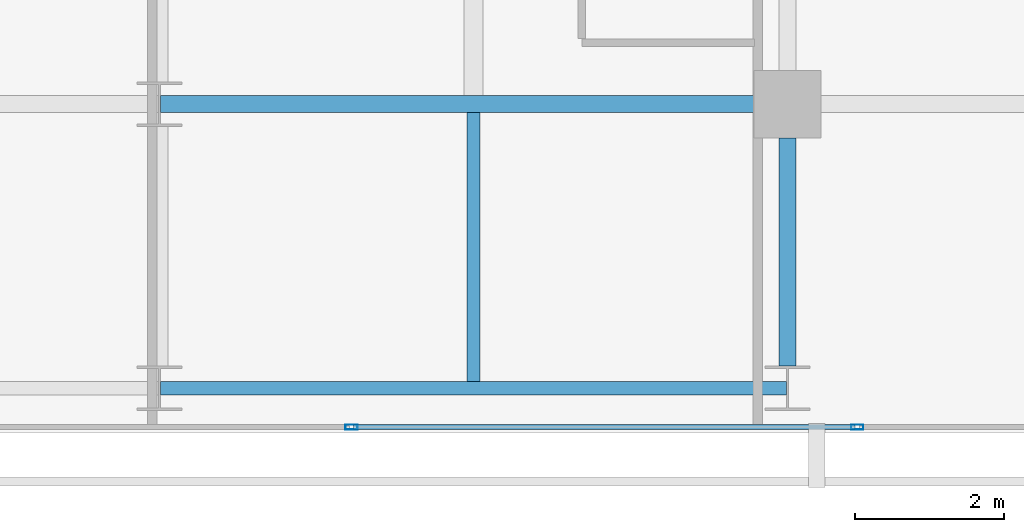
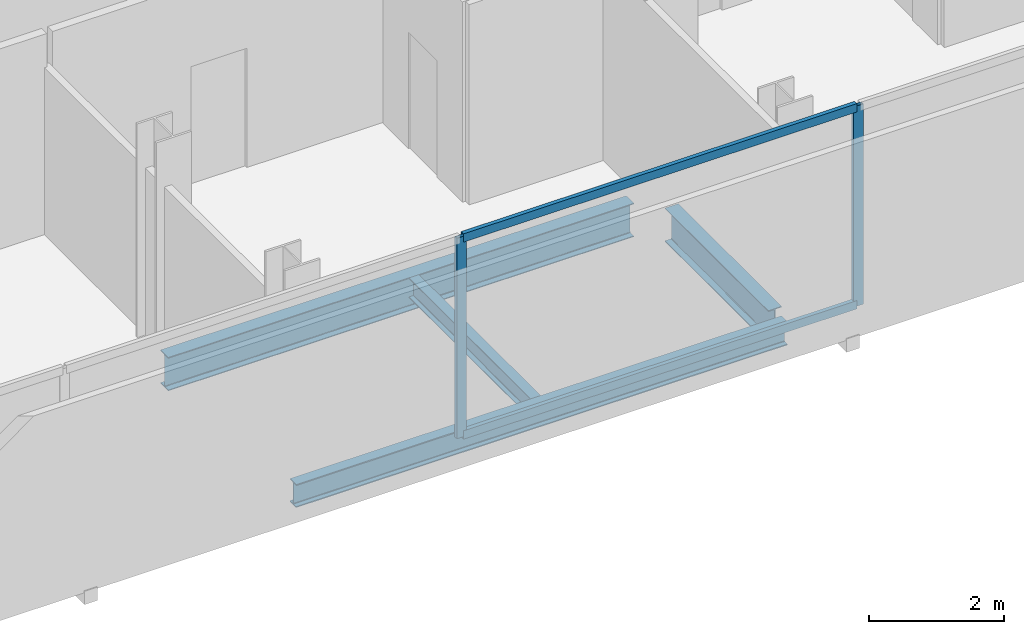
# One storey, part 12 of 34: 4 beams, 4 members, 1 element without a shape of its own.
"""IFC4 building model written with IfcOpenShell, lengths in metres."""

import ifcopenshell
import ifcopenshell.guid

model = None  # the IFC model being written
_history = None  # IfcOwnerHistory: only IFC2X3 demands one
_inside = {}  # id of a spatial element -> (the spatial element, [elements in it])
_under = {}  # id of a project, library or spatial element -> (it, [spatial elements below it])
_declared = {}  # id of a project -> (the project, [libraries it declares])
_typed = {}  # id of a type object -> (the type object, [elements of that type])
_made_of = {}  # id of a material, layer set ... -> (it, [elements and type objects made of it])


def new_model(schema):
    """Start an empty IFC model of exactly this schema.

    Asked for "IFC4X3", IfcOpenShell would pick the latest addendum, in which some entities
    have other attributes; the version numbers below select the first issue.
    IFC2X3 requires an IfcOwnerHistory on every rooted entity: one is made here for all.
    """
    global model, _history
    if schema == "IFC4X3":
        model = ifcopenshell.file(schema_version=(4, 3, 0, 0))
    else:
        model = ifcopenshell.file(schema=schema)
    _inside.clear()
    _under.clear()
    _declared.clear()
    _typed.clear()
    _made_of.clear()
    _history = None
    if model.schema == "IFC2X3":
        org = make("IfcOrganization", Name="unknown")
        user = make(
            "IfcPersonAndOrganization",
            ThePerson=make("IfcPerson", FamilyName="unknown"),
            TheOrganization=org,
        )
        app = make(
            "IfcApplication",
            ApplicationDeveloper=org,
            Version="unknown",
            ApplicationFullName="unknown",
            ApplicationIdentifier="unknown",
        )
        _history = make(
            "IfcOwnerHistory",
            OwningUser=user,
            OwningApplication=app,
            ChangeAction="ADDED",
            CreationDate=0,
        )
    return model


def make(cls, **values):
    """One entity of the class cls with the attributes given. An attribute that is None is left unset."""
    return model.create_entity(
        cls, **{name: value for name, value in values.items() if value is not None}
    )


def rooted(cls, **values):
    """An entity with a GlobalId (a new one), such as an element, a storey or a relation."""
    return make(cls, GlobalId=ifcopenshell.guid.new(), OwnerHistory=_history, **values)


def si_unit(unit_type, name, prefix=None):
    """IfcSIUnit, for example si_unit("LENGTHUNIT", "METRE", prefix="MILLI")."""
    return make("IfcSIUnit", UnitType=unit_type, Prefix=prefix, Name=name)


def assignment(units):
    """IfcUnitAssignment: the units of a project."""
    return None if units is None else make("IfcUnitAssignment", Units=units)


def point(xyz):
    """IfcCartesianPoint."""
    return None if xyz is None else make("IfcCartesianPoint", Coordinates=xyz)


def direction(xyz):
    """IfcDirection."""
    return None if xyz is None else make("IfcDirection", DirectionRatios=xyz)


def frame(location, z_axis=None, x_axis=None):
    """IfcAxis2Placement3D, a coordinate frame: its origin and axes. An axis left out is left unset."""
    return make(
        "IfcAxis2Placement3D",
        Location=point(location),
        Axis=direction(z_axis),
        RefDirection=direction(x_axis),
    )


def frame_2d(location, x_axis=None):
    """IfcAxis2Placement2D, a coordinate frame in the plane: its origin and x axis."""
    return make(
        "IfcAxis2Placement2D", Location=point(location), RefDirection=direction(x_axis)
    )


def origin():
    """The frame at (0, 0, 0) with its axes left unset."""
    return frame((0.0, 0.0, 0.0))


def origin_2d():
    """The frame at (0, 0) in the plane with its x axis left unset."""
    return frame_2d((0.0, 0.0))


def place(relative_to, where):
    """IfcLocalPlacement: puts the frame where relative to a parent placement (None: the world)."""
    return make(
        "IfcLocalPlacement", PlacementRelTo=relative_to, RelativePlacement=where
    )


def context(
    kind, dimensions, precision=None, world=None, true_north=None, identifier=None
):
    """IfcGeometricRepresentationContext, for example the 3D "Model" context."""
    return make(
        "IfcGeometricRepresentationContext",
        ContextIdentifier=identifier,
        ContextType=kind,
        CoordinateSpaceDimension=dimensions,
        Precision=precision,
        WorldCoordinateSystem=world,
        TrueNorth=true_north,
    )


def subcontext(parent, identifier, kind, view, scale=None):
    """IfcGeometricRepresentationSubContext, for example "Body" below "Model"."""
    return make(
        "IfcGeometricRepresentationSubContext",
        ContextIdentifier=identifier,
        ContextType=kind,
        ParentContext=parent,
        TargetScale=scale,
        TargetView=view,
    )


def project(units=None, contexts=None):
    """IfcProject with its units and contexts."""
    return rooted(
        "IfcProject",
        Name="project",
        RepresentationContexts=contexts,
        UnitsInContext=assignment(units),
    )


def spatial(cls, under=None, at=None, **own):
    """A site, building, storey or space (cls), placed at a placement, below another one or the project."""
    s = rooted(cls, ObjectPlacement=at, **own)
    if under is not None:
        _under.setdefault(under.id(), (under, []))[1].append(s)
    return s


def profile(cls, at=None, kind="AREA", **sizes):
    """A parametric profile (cls). Its sizes go by their IFC names, for example OverallWidth=200.0."""
    return make(cls, ProfileType=kind, Position=at, **sizes)


def hollow_rectangle(**sizes):
    """IfcRectangleHollowProfileDef."""
    return profile("IfcRectangleHollowProfileDef", **sizes)


def i_section(**sizes):
    """IfcIShapeProfileDef."""
    return profile("IfcIShapeProfileDef", **sizes)


def extrude(swept, where, along, depth):
    """IfcExtrudedAreaSolid: the profile swept, set in the frame where, extruded along a direction by depth."""
    return make(
        "IfcExtrudedAreaSolid",
        SweptArea=swept,
        Position=where,
        ExtrudedDirection=direction(along),
        Depth=depth,
    )


def shape(context_of_items, identifier, shape_type, items):
    """IfcShapeRepresentation: the items that make up one representation, for example the "Body"."""
    return make(
        "IfcShapeRepresentation",
        ContextOfItems=context_of_items,
        RepresentationIdentifier=identifier,
        RepresentationType=shape_type,
        Items=items,
    )


def material(Name=None, Category=None):
    """IfcMaterial."""
    return make("IfcMaterial", Name=Name, Category=Category)


def layer(
    of_material, thickness, ventilated=None, Name=None, Category=None, Priority=None
):
    """IfcMaterialLayer: one layer of a wall or slab, of a material (None: an air gap)."""
    return make(
        "IfcMaterialLayer",
        Material=of_material,
        LayerThickness=thickness,
        IsVentilated=ventilated,
        Name=Name,
        Category=Category,
        Priority=Priority,
    )


def layer_set(layers, Name=None):
    """IfcMaterialLayerSet."""
    return make("IfcMaterialLayerSet", MaterialLayers=layers, LayerSetName=Name)


def material_profile(
    of_material, cross_section, Name=None, Category=None, Priority=None
):
    """IfcMaterialProfile: a cross section and its material."""
    return make(
        "IfcMaterialProfile",
        Name=Name,
        Material=of_material,
        Profile=cross_section,
        Priority=Priority,
        Category=Category,
    )


def profile_set(profiles, Name=None, composite=None):
    """IfcMaterialProfileSet."""
    return make(
        "IfcMaterialProfileSet",
        Name=Name,
        MaterialProfiles=profiles,
        CompositeProfile=composite,
    )


def made_of(thing, what):
    """Note that an element or type object is made of a material, layer set ...; save() writes the relation."""
    if what is not None:
        _made_of.setdefault(what.id(), (what, []))[1].append(thing)
    return thing


def type_object(cls, material=None, **own):
    """A type object (cls), such as IfcWallType, which elements share."""
    return made_of(rooted(cls, **own), material)


def element(
    cls,
    number,
    at=None,
    inside=None,
    cuts=None,
    type_object=None,
    material=None,
    context=None,
    identifier="Body",
    shape_type=None,
    held_by="IfcProductDefinitionShape",
    body=None,
    shapes=None,
    **own,
):
    """One element of the class cls, such as IfcWall. Its Tag is "e" and its number.

    at: its placement. inside: the storey or other place that contains it. cuts: it is an
    opening in that element (IfcRelVoidsElement). A single representation is given by context,
    identifier, shape_type and body (its items); several are given by shapes. held_by: the class
    of the entity that holds the representations. save() writes the other relations.
    """
    e = rooted(cls, Tag="e%d" % number, ObjectPlacement=at, **own)
    if body is not None:
        shapes = [shape(context, identifier, shape_type, body)]
    if shapes is not None:
        e.Representation = make(held_by, Representations=shapes)
    if inside is not None:
        _inside.setdefault(inside.id(), (inside, []))[1].append(e)
    if cuts is not None:
        rooted(
            "IfcRelVoidsElement", RelatingBuildingElement=cuts, RelatedOpeningElement=e
        )
    if type_object is not None:
        _typed.setdefault(type_object.id(), (type_object, []))[1].append(e)
    return made_of(e, material)


def aggregate(whole, parts):
    """IfcRelAggregates: a whole, such as a stair, and the parts it consists of."""
    return rooted("IfcRelAggregates", RelatingObject=whole, RelatedObjects=parts)


def save(model, path):
    """Write the relations noted so far, then the file.

    IfcRelAggregates (storeys below a building ...), IfcRelContainedInSpatialStructure (elements
    in a storey), IfcRelDefinesByType, IfcRelAssociatesMaterial and IfcRelDeclares: one each for
    every whole, place, type object, material and project.
    """
    for whole, parts in _under.values():
        aggregate(whole, parts)
    for where, things in _inside.values():
        rooted(
            "IfcRelContainedInSpatialStructure",
            RelatedElements=things,
            RelatingStructure=where,
        )
    for kind, things in _typed.values():
        rooted("IfcRelDefinesByType", RelatedObjects=things, RelatingType=kind)
    for what, things in _made_of.values():
        rooted("IfcRelAssociatesMaterial", RelatedObjects=things, RelatingMaterial=what)
    for by, libraries in _declared.values():
        rooted("IfcRelDeclares", RelatingContext=by, RelatedDefinitions=libraries)
    model.write(path)


model = new_model("IFC4")

# Units and contexts
model_context = context("Model", 3, precision=1e-05, world=origin(), true_north=direction((0.0, 1.0)))
body_context = subcontext(model_context, "Body", "Model", "MODEL_VIEW")
ifc_project = project(units=[si_unit("LENGTHUNIT", "METRE"), si_unit("AREAUNIT", "SQUARE_METRE"), si_unit("VOLUMEUNIT", "CUBIC_METRE"), si_unit("PLANEANGLEUNIT", "RADIAN"), si_unit("MASSUNIT", "GRAM", prefix="KILO")], contexts=[model_context])

# Site, building, storey
site_placement = place(None, origin())
site = spatial("IfcSite", under=ifc_project, at=site_placement, CompositionType="ELEMENT")
building_placement = place(site_placement, origin())
building = spatial("IfcBuilding", under=site, at=building_placement, Name="Maruvema Waterfront Hotel and Observation Tower", CompositionType="ELEMENT")
storey_placement = place(building_placement, frame((0.0, 0.0, 177.449951171875)))
storey = spatial("IfcBuildingStorey", under=building, at=storey_placement, Name="L43", CompositionType="ELEMENT", Elevation=177.449951171875)

# Curtain wall, members
ifc_material_1 = material(Name="Anodised bronze aluminium and solar-control low-E IGU", Category="aluminium")
ifc_layer = layer(ifc_material_1, 0.159912109375, Name="Zone 2 Amber Inner Thermal Curtain Wall System CW-03")
ifc_layer_set = layer_set([ifc_layer], Name="Anodised bronze aluminium and solar-control low-E IGU")
curtain_wall_type = type_object("IfcCurtainWallType", Name="Zone 2 Amber Inner Thermal Curtain Wall System CW-03", PredefinedType="USERDEFINED", material=ifc_layer_set)
curtain_wall_placement = place(storey_placement, origin())
curtain_wall = element("IfcCurtainWall", 1, at=curtain_wall_placement, inside=storey, type_object=curtain_wall_type, Name="L43 Curtain Wall CW-L43-S", ObjectType="UNITISED CURTAIN WALL", PredefinedType="USERDEFINED")
ifc_material_2 = material(Name="Anodised architectural bronze aluminium", Category="aluminium")
ifc_material_profile_1 = material_profile(ifc_material_2, hollow_rectangle(XDim=0.070068359375, YDim=0.14990234375, WallThickness=0.00390625, at=origin_2d()), Name="ALU-T70x150")
ifc_profile_set_1 = profile_set([ifc_material_profile_1], Name="Anodised architectural bronze aluminium")
member_type_1 = type_object("IfcMemberType", Name="Curtain Wall Horizontal Transom ALU-T70x150", PredefinedType="USERDEFINED", material=ifc_profile_set_1)
member_1_placement = place(storey_placement, frame((44.5966796875, 4.679931640625, 0.030029296875), z_axis=(1.0, 0.0, 0.0), x_axis=(0.0, 1.0, 0.0)))
member_1 = element("IfcMember", 2, at=member_1_placement, type_object=member_type_1, Name="CW-03 transom 5.1", ObjectType="TRANSOM", PredefinedType="USERDEFINED", context=body_context, shape_type="SweptSolid", body=[
    extrude(hollow_rectangle(XDim=0.070068359375, YDim=0.14990234375, WallThickness=0.00390625, at=origin_2d()), origin(), (0.0, 0.0, 1.0), 6.70654296875),
])
member_2_placement = place(storey_placement, frame((44.5966796875, 4.679931640625, 3.580078125), z_axis=(1.0, 0.0, 0.0), x_axis=(0.0, 1.0, 0.0)))
member_2 = element("IfcMember", 3, at=member_2_placement, type_object=member_type_1, Name="CW-03 transom 5.2", ObjectType="TRANSOM", PredefinedType="USERDEFINED", context=body_context, shape_type="SweptSolid", body=[
    extrude(hollow_rectangle(XDim=0.070068359375, YDim=0.14990234375, WallThickness=0.00390625, at=origin_2d()), origin(), (0.0, 0.0, 1.0), 6.70654296875),
])
ifc_material_3 = material(Name="Anodised architectural bronze aluminium", Category="aluminium")
ifc_material_profile_2 = material_profile(ifc_material_3, hollow_rectangle(XDim=0.06494140625, YDim=0.1650390625, WallThickness=0.00390625, at=origin_2d()), Name="ALU-M65x165")
ifc_profile_set_2 = profile_set([ifc_material_profile_2], Name="Anodised architectural bronze aluminium")
member_type_2 = type_object("IfcMemberType", Name="Curtain Wall Primary Mullion ALU-M65x165", PredefinedType="MULLION", material=ifc_profile_set_2)
member_3_placement = place(storey_placement, frame((44.566650390625, 4.679931640625, 0.0), z_axis=(0.0, 0.0, 1.0), x_axis=(0.0, 1.0, 0.0)))
member_3 = element("IfcMember", 4, at=member_3_placement, type_object=member_type_2, Name="CW-03 mullion 5", PredefinedType="MULLION", context=body_context, shape_type="SweptSolid", body=[
    extrude(hollow_rectangle(XDim=0.06494140625, YDim=0.1650390625, WallThickness=0.00390625, at=origin_2d()), origin(), (0.0, 0.0, 1.0), 3.610107421875),
])
member_4_placement = place(storey_placement, frame((51.333251953125, 4.679931640625, 0.0), z_axis=(0.0, 0.0, 1.0), x_axis=(0.0, 1.0, 0.0)))
member_4 = element("IfcMember", 5, at=member_4_placement, type_object=member_type_2, Name="CW-03 mullion 6", PredefinedType="MULLION", context=body_context, shape_type="SweptSolid", body=[
    extrude(hollow_rectangle(XDim=0.06494140625, YDim=0.1650390625, WallThickness=0.00390625, at=origin_2d()), origin(), (0.0, 0.0, 1.0), 3.610107421875),
])
aggregate(curtain_wall, [member_3, member_4, member_1, member_2])

# Beams
ifc_material_4 = material(Name="Steel ASTM A572 Grade 50", Category="steel")
ifc_material_profile_3 = material_profile(ifc_material_4, i_section(OverallWidth=0.180908203125, OverallDepth=0.4169921875, WebThickness=0.010986328125, FlangeThickness=0.018310546875, FilletRadius=0.014892578125, at=origin_2d()), Name="W410x85.0")
ifc_profile_set_3 = profile_set([ifc_material_profile_3], Name="Steel ASTM A572 Grade 50")
beam_type_1 = type_object("IfcBeamType", Name="Perimeter Spandrel Beam W410x85.0", PredefinedType="SPANDREL", material=ifc_profile_set_3)
beam_1_placement = place(storey_placement, frame((42.012451171875, 5.199951171875, -0.448486328125), z_axis=(1.0, 0.0, 0.0), x_axis=(0.0, 1.0, 0.0)))
element("IfcBeam", 6, at=beam_1_placement, inside=storey, type_object=beam_type_1, Name="L43 Floor Girder EW-03", PredefinedType="SPANDREL", context=body_context, shape_type="SweptSolid", body=[
    extrude(i_section(OverallWidth=0.180908203125, OverallDepth=0.4169921875, WebThickness=0.010986328125, FlangeThickness=0.018310546875, FilletRadius=0.014892578125, at=origin_2d()), origin(), (0.0, 0.0, 1.0), 8.375),
])
ifc_material_5 = material(Name="Steel ASTM A572 Grade 50", Category="steel")
ifc_material_profile_4 = material_profile(ifc_material_5, i_section(OverallWidth=0.22802734375, OverallDepth=0.60302734375, WebThickness=0.010498046875, FlangeThickness=0.014892578125, FilletRadius=0.01806640625, at=origin_2d()), Name="W610x101.0")
ifc_profile_set_4 = profile_set([ifc_material_profile_4], Name="Steel ASTM A572 Grade 50")
beam_type_2 = type_object("IfcBeamType", Name="Primary Floor Girder W610x101.0", PredefinedType="BEAM", material=ifc_profile_set_4)
beam_2_placement = place(storey_placement, frame((42.012451171875, 9.0, -0.54150390625), z_axis=(1.0, 0.0, 0.0), x_axis=(0.0, 1.0, 0.0)))
element("IfcBeam", 7, at=beam_2_placement, inside=storey, type_object=beam_type_2, Name="L43 Floor Girder EW-08", PredefinedType="BEAM", context=body_context, shape_type="SweptSolid", body=[
    extrude(i_section(OverallWidth=0.22802734375, OverallDepth=0.60302734375, WebThickness=0.010498046875, FlangeThickness=0.014892578125, FilletRadius=0.01806640625, at=origin_2d()), origin(), (0.0, 0.0, 1.0), 7.9375),
])
beam_3_placement = place(storey_placement, frame((50.39990234375, 5.5, -0.54150390625), z_axis=(0.0, 1.0, 0.0), x_axis=(-1.0, 0.0, 0.0)))
element("IfcBeam", 8, at=beam_3_placement, inside=storey, type_object=beam_type_2, Name="L43 Floor Girder NS-20", PredefinedType="BEAM", context=body_context, shape_type="SweptSolid", body=[
    extrude(i_section(OverallWidth=0.22802734375, OverallDepth=0.60302734375, WebThickness=0.010498046875, FlangeThickness=0.014892578125, FilletRadius=0.01806640625, at=origin_2d()), origin(), (0.0, 0.0, 1.0), 3.050048828125),
])
ifc_material_6 = material(Name="Steel ASTM A572 Grade 50", Category="steel")
ifc_material_profile_5 = material_profile(ifc_material_6, i_section(OverallWidth=0.1708984375, OverallDepth=0.35498046875, WebThickness=0.007080078125, FlangeThickness=0.01171875, FilletRadius=0.014892578125, at=origin_2d()), Name="W360x51.0")
ifc_profile_set_5 = profile_set([ifc_material_profile_5], Name="Steel ASTM A572 Grade 50")
beam_type_3 = type_object("IfcBeamType", Name="Secondary Floor Joist W360x51.0", PredefinedType="JOIST", material=ifc_profile_set_5)
beam_4_placement = place(storey_placement, frame((46.199951171875, 5.29052734375, -0.41748046875), z_axis=(0.0, 1.0, 0.0), x_axis=(-1.0, 0.0, 0.0)))
element("IfcBeam", 9, at=beam_4_placement, inside=storey, type_object=beam_type_3, Name="L43 Secondary Floor Joist JS-09", PredefinedType="JOIST", context=body_context, shape_type="SweptSolid", body=[
    extrude(i_section(OverallWidth=0.1708984375, OverallDepth=0.35498046875, WebThickness=0.007080078125, FlangeThickness=0.01171875, FilletRadius=0.014892578125, at=origin_2d()), origin(), (0.0, 0.0, 1.0), 3.595458984375),
])

save(model, "model.ifc")
